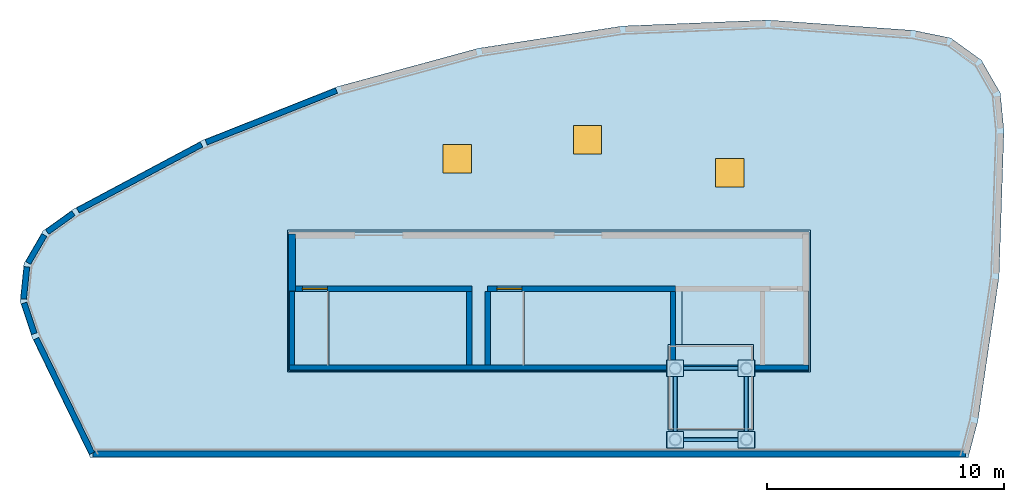
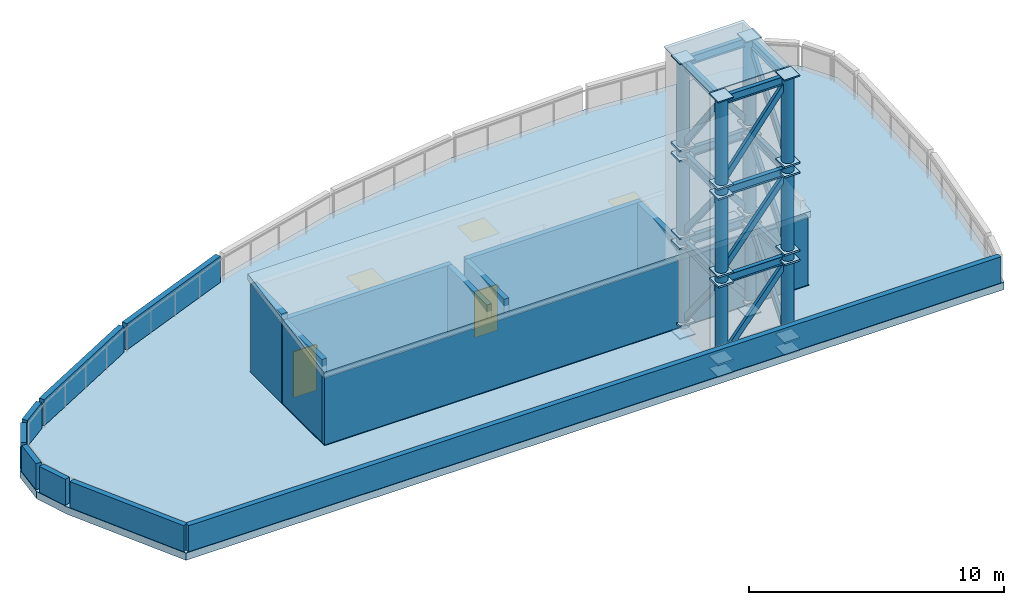
# One storey, part 1 of 3: 29 plates, 16 walls, 12 beams, 12 members, 4 columns, 3 slabs, 3 windows, 2 doors, 5 openings.
"""IFC4 building model written with IfcOpenShell, lengths in metres."""

from ifc_helpers import new_model, si_unit, direction, frame, frame_2d, origin, origin_2d, place, context, subcontext, project, spatial, polyline, rectangle, hollow_rectangle, hollow_circle, i_section, outline, extrude, source, transform, mapped, material, layer, layer_set, material_profile, profile_set, type_object, type_shapes, element, fill, save


model = new_model("IFC4")

# Units and contexts
model_context = context("Model", 3, precision=1e-05, world=origin(), true_north=direction((0.0, 1.0)))
body_context = subcontext(model_context, "Body", "Model", "MODEL_VIEW")
ifc_project = project(units=[si_unit("LENGTHUNIT", "METRE"), si_unit("AREAUNIT", "SQUARE_METRE"), si_unit("VOLUMEUNIT", "CUBIC_METRE"), si_unit("PLANEANGLEUNIT", "RADIAN"), si_unit("MASSUNIT", "GRAM", prefix="KILO")], contexts=[model_context])

# Site, building, storey
site_placement = place(None, origin())
site = spatial("IfcSite", under=ifc_project, at=site_placement, CompositionType="ELEMENT")
building_placement = place(site_placement, origin())
building = spatial("IfcBuilding", under=site, at=building_placement, Name="Tavelor Broadcast Tower", CompositionType="ELEMENT")
storey_placement = place(building_placement, frame((0.0, 0.0, 359.699951171875)))
storey = spatial("IfcBuildingStorey", under=building, at=storey_placement, Name="RF", CompositionType="ELEMENT", Elevation=359.699951171875)

# Columns
ifc_material_1 = material(Name="Steel S355", Category="steel")
ifc_material_profile_1 = material_profile(ifc_material_1, hollow_circle(Radius=0.25390625, WallThickness=0.02490234375, at=origin_2d()), Name="CHS 508x25")
ifc_profile_set_1 = profile_set([ifc_material_profile_1], Name="Steel S355")
column_type = type_object("IfcColumnType", Name="Broadcast Spire Mast Leg CHS508", PredefinedType="COLUMN", material=ifc_profile_set_1)
for number, where, z_axis, x_axis, name in (
    (1, (51.199951171875, 44.949951171875, -0.349853515625), (0.0, 0.0, 1.0), (1.0, 0.0, 0.0), "Broadcast Spire Mast Leg 1"),
    (2, (54.199951171875, 44.949951171875, -0.349853515625), (0.0, 0.0, 1.0), (1.0, 0.0, 0.0), "Broadcast Spire Mast Leg 2"),
    (3, (54.199951171875, 47.949951171875, -0.349853515625), (0.0, 0.0, 1.0), (1.0, 0.0, 0.0), "Broadcast Spire Mast Leg 3"),
    (4, (51.199951171875, 47.949951171875, -0.349853515625), (0.0, 0.0, 1.0), (1.0, 0.0, 0.0), "Broadcast Spire Mast Leg 4"),
):
    element("IfcColumn", number, at=place(storey_placement, frame(where, z_axis=z_axis, x_axis=x_axis)), inside=storey, type_object=column_type, Name=name, PredefinedType="COLUMN", context=body_context, shape_type="SweptSolid", body=[
        extrude(hollow_circle(Radius=0.25390625, WallThickness=0.02490234375, at=origin_2d()), origin(), (0.0, 0.0, 1.0), 13.14990234375),
    ])

# Members
ifc_material_profile_2 = material_profile(ifc_material_1, hollow_rectangle(XDim=0.14990234375, YDim=0.25, WallThickness=0.010009765625, at=origin_2d()), Name="RHS 250x150x10")
ifc_profile_set_2 = profile_set([ifc_material_profile_2], Name="Steel S355")
member_type = type_object("IfcMemberType", Name="Broadcast Spire Mast Strut RHS250x150", PredefinedType="STRUT", material=ifc_profile_set_2)
for number, where, z_axis, x_axis, name in (
    (5, (51.199951171875, 44.949951171875, 0.25), (0.629806973106, 0.0, 0.776751682732), (0.0, 1.0, 0.0), "Broadcast Spire Mast Lattice Strut 1.1"),
    (6, (54.199951171875, 44.949951171875, 0.25), (0.0, 0.629806973106, 0.776751682732), (-1.0, 0.0, 0.0), "Broadcast Spire Mast Lattice Strut 1.2"),
    (7, (54.199951171875, 47.949951171875, 0.25), (-0.629806973106, 0.0, 0.776751682732), (0.0, -1.0, 0.0), "Broadcast Spire Mast Lattice Strut 1.3"),
    (8, (51.199951171875, 47.949951171875, 0.25), (0.0, -0.629806973106, 0.776751682732), (1.0, 0.0, 0.0), "Broadcast Spire Mast Lattice Strut 1.4"),
):
    element("IfcMember", number, at=place(storey_placement, frame(where, z_axis=z_axis, x_axis=x_axis)), inside=storey, type_object=member_type, Name=name, PredefinedType="STRUT", context=body_context, shape_type="SweptSolid", body=[
        extrude(hollow_rectangle(XDim=0.14990234375, YDim=0.25, WallThickness=0.010009765625, at=origin_2d()), origin(), (0.0, 0.0, 1.0), 4.763427734375),
    ])
for number, where, z_axis, x_axis, name in (
    (9, (51.199951171875, 44.949951171875, 4.449951171875), (0.62978190022, 0.0, 0.776772011697), (0.0, 1.0, 0.0), "Broadcast Spire Mast Lattice Strut 2.1"),
    (10, (54.199951171875, 44.949951171875, 4.449951171875), (0.0, 0.62978190022, 0.776772011697), (-1.0, 0.0, 0.0), "Broadcast Spire Mast Lattice Strut 2.2"),
    (11, (54.199951171875, 47.949951171875, 4.449951171875), (-0.62978190022, 0.0, 0.776772011697), (0.0, -1.0, 0.0), "Broadcast Spire Mast Lattice Strut 2.3"),
    (12, (51.199951171875, 47.949951171875, 4.449951171875), (0.0, -0.62978190022, 0.776772011697), (1.0, 0.0, 0.0), "Broadcast Spire Mast Lattice Strut 2.4"),
):
    element("IfcMember", number, at=place(storey_placement, frame(where, z_axis=z_axis, x_axis=x_axis)), inside=storey, type_object=member_type, Name=name, PredefinedType="STRUT", context=body_context, shape_type="SweptSolid", body=[
        extrude(hollow_rectangle(XDim=0.14990234375, YDim=0.25, WallThickness=0.010009765625, at=origin_2d()), origin(), (0.0, 0.0, 1.0), 4.763671875),
    ])
for number, where, z_axis, x_axis, name in (
    (13, (51.199951171875, 44.949951171875, 8.650146484375), (0.609720352615, 0.0, 0.792616610731), (0.0, 1.0, 0.0), "Broadcast Spire Mast Lattice Strut 3.1"),
    (14, (54.199951171875, 44.949951171875, 8.650146484375), (0.0, 0.609720352615, 0.792616610731), (-1.0, 0.0, 0.0), "Broadcast Spire Mast Lattice Strut 3.2"),
    (15, (54.199951171875, 47.949951171875, 8.650146484375), (-0.609720352615, 0.0, 0.792616610731), (0.0, -1.0, 0.0), "Broadcast Spire Mast Lattice Strut 3.3"),
    (16, (51.199951171875, 47.949951171875, 8.650146484375), (0.0, -0.609720352615, 0.792616610731), (1.0, 0.0, 0.0), "Broadcast Spire Mast Lattice Strut 3.4"),
):
    element("IfcMember", number, at=place(storey_placement, frame(where, z_axis=z_axis, x_axis=x_axis)), inside=storey, type_object=member_type, Name=name, PredefinedType="STRUT", context=body_context, shape_type="SweptSolid", body=[
        extrude(hollow_rectangle(XDim=0.14990234375, YDim=0.25, WallThickness=0.010009765625, at=origin_2d()), origin(), (0.0, 0.0, 1.0), 4.92041015625),
    ])

# Beams
ifc_material_profile_3 = material_profile(ifc_material_1, i_section(OverallWidth=0.179931640625, OverallDepth=0.39990234375, WebThickness=0.008544921875, FlangeThickness=0.013427734375, at=origin_2d()), Name="IPE 400")
ifc_profile_set_3 = profile_set([ifc_material_profile_3], Name="Steel S355")
beam_type = type_object("IfcBeamType", Name="Crown Ring Spandrel Beam IPE400", PredefinedType="SPANDREL", material=ifc_profile_set_3)
for number, where, z_axis, x_axis, name in (
    (17, (51.449951171875, 44.949951171875, 4.0), (1.0, 0.0, 0.0), (0.0, 1.0, 0.0), "Broadcast Spire Mast Collar Ring 1.1"),
    (18, (54.199951171875, 45.199951171875, 4.0), (0.0, 1.0, 0.0), (-1.0, 0.0, 0.0), "Broadcast Spire Mast Collar Ring 1.2"),
    (19, (53.949951171875, 47.949951171875, 4.0), (-1.0, 0.0, 0.0), (0.0, -1.0, 0.0), "Broadcast Spire Mast Collar Ring 1.3"),
    (20, (51.199951171875, 47.699951171875, 4.0), (0.0, -1.0, 0.0), (1.0, 0.0, 0.0), "Broadcast Spire Mast Collar Ring 1.4"),
    (21, (51.449951171875, 44.949951171875, 8.199951171875), (1.0, 0.0, 0.0), (0.0, 1.0, 0.0), "Broadcast Spire Mast Collar Ring 2.1"),
    (22, (54.199951171875, 45.199951171875, 8.199951171875), (0.0, 1.0, 0.0), (-1.0, 0.0, 0.0), "Broadcast Spire Mast Collar Ring 2.2"),
    (23, (53.949951171875, 47.949951171875, 8.199951171875), (-1.0, 0.0, 0.0), (0.0, -1.0, 0.0), "Broadcast Spire Mast Collar Ring 2.3"),
    (24, (51.199951171875, 47.699951171875, 8.199951171875), (0.0, -1.0, 0.0), (1.0, 0.0, 0.0), "Broadcast Spire Mast Collar Ring 2.4"),
    (25, (51.449951171875, 44.949951171875, 12.60009765625), (1.0, 0.0, 0.0), (0.0, 1.0, 0.0), "Broadcast Spire Mast Collar Ring 3.1"),
    (26, (54.199951171875, 45.199951171875, 12.60009765625), (0.0, 1.0, 0.0), (-1.0, 0.0, 0.0), "Broadcast Spire Mast Collar Ring 3.2"),
    (27, (53.949951171875, 47.949951171875, 12.60009765625), (-1.0, 0.0, 0.0), (0.0, -1.0, 0.0), "Broadcast Spire Mast Collar Ring 3.3"),
    (28, (51.199951171875, 47.699951171875, 12.60009765625), (0.0, -1.0, 0.0), (1.0, 0.0, 0.0), "Broadcast Spire Mast Collar Ring 3.4"),
):
    element("IfcBeam", number, at=place(storey_placement, frame(where, z_axis=z_axis, x_axis=x_axis)), inside=storey, type_object=beam_type, Name=name, PredefinedType="SPANDREL", context=body_context, shape_type="SweptSolid", body=[
        extrude(i_section(OverallWidth=0.179931640625, OverallDepth=0.39990234375, WebThickness=0.008544921875, FlangeThickness=0.013427734375, at=origin_2d()), origin(), (0.0, 0.0, 1.0), 2.5),
    ])

# Slab, openings, windows
ifc_material_2 = material(Name="Concrete C40/50", Category="concrete")
ifc_layer_1 = layer(ifc_material_2, 0.35009765625)
ifc_layer_set_1 = layer_set([ifc_layer_1], Name="Concrete C40/50")
slab_type_1 = type_object("IfcSlabType", Name="Crown Structural Roof Slab 350 mm", PredefinedType="ROOF", material=ifc_layer_set_1)
slab_1_placement = place(storey_placement, frame((0.0, 0.0, -0.349853515625)))
slab_1 = element("IfcSlab", 29, at=slab_1_placement, inside=storey, type_object=slab_type_1, Name="Roof Peak A Structural Roof Slab", PredefinedType="ROOF", context=body_context, shape_type="SweptSolid", body=[
    extrude(outline(polyline([(24.074462890625, 49.255126953125), (26.531494140625, 44.199951171875), (63.558349609375, 44.199951171875), (63.966064453125, 45.74462890625), (64.858642578125, 51.825439453125), (65.064697265625, 57.968017578125), (64.909912109375, 59.560791015625), (64.11328125, 60.948974609375), (62.81591796875, 61.886474609375), (61.247802734375, 62.206787109375), (55.117431640625, 62.64404296875), (48.9765625, 62.391845703125), (42.902587890625, 61.453369140625), (36.97216796875, 59.84033203125), (31.259765625, 57.572998046875), (25.837158203125, 54.679931640625), (24.534912109375, 53.74951171875), (23.731201171875, 52.365478515625), (23.568115234375, 50.7734375), (24.074462890625, 49.255126953125)]), holes=[polyline([(56.85498046875, 47.844970703125), (34.89501953125, 47.844970703125), (34.89501953125, 53.705078125), (56.85498046875, 53.705078125), (56.85498046875, 47.844970703125)])]), origin(), (0.0, 0.0, 1.0), 0.349853515625),
])
opening_1_placement = place(slab_1_placement, frame((42.0, 56.800048828125, 0.0)))
opening_1 = element("IfcOpeningElement", 30, at=opening_1_placement, cuts=slab_1, Name="Opening HT01", PredefinedType="OPENING", context=body_context, shape_type="SweptSolid", body=[
    extrude(rectangle(XDim=1.199951171875, YDim=1.199951171875, at=origin_2d()), frame((0.0, 0.0, -0.010009765625)), (0.0, 0.0, 1.0), 0.369873046875),
])
opening_2_placement = place(slab_1_placement, frame((47.5, 57.60009765625, 0.0)))
opening_2 = element("IfcOpeningElement", 31, at=opening_2_placement, cuts=slab_1, Name="Opening HT01", PredefinedType="OPENING", context=body_context, shape_type="SweptSolid", body=[
    extrude(rectangle(XDim=1.199951171875, YDim=1.199951171875, at=origin_2d()), frame((0.0, 0.0, -0.010009765625)), (0.0, 0.0, 1.0), 0.369873046875),
])
opening_3_placement = place(slab_1_placement, frame((53.5, 56.199951171875, 0.0)))
opening_3 = element("IfcOpeningElement", 32, at=opening_3_placement, cuts=slab_1, Name="Opening HT01", PredefinedType="OPENING", context=body_context, shape_type="SweptSolid", body=[
    extrude(rectangle(XDim=1.199951171875, YDim=1.199951171875, at=origin_2d()), frame((0.0, 0.0, -0.010009765625)), (0.0, 0.0, 1.0), 0.369873046875),
])
ifc_material_3 = material(Name="Copper-Bronze Anodized Aluminium", Category="aluminium")
window_type = type_object("IfcWindowType", Name="Insulated Roof Smoke and Maintenance Access Hatch 1200x1200", PartitioningType="SINGLE_PANEL", PredefinedType="LIGHTDOME", material=ifc_material_3)
window_1_placement = place(opening_1_placement, frame((0.0, 0.0, 0.2998046875)))
window_1 = element("IfcWindow", 33, at=window_1_placement, inside=storey, type_object=window_type, Name="RF Roof Smoke and Maintenance Hatch 01", OverallHeight=1.199951171875, OverallWidth=1.199951171875, PartitioningType="SINGLE_PANEL", PredefinedType="LIGHTDOME", context=body_context, shape_type="SweptSolid", body=[
    extrude(rectangle(XDim=1.199951171875, YDim=1.199951171875, at=origin_2d()), origin(), (0.0, 0.0, 1.0), 0.050048828125),
])
fill(opening_1, window_1)
window_2_placement = place(opening_2_placement, frame((0.0, 0.0, 0.2998046875)))
window_2 = element("IfcWindow", 34, at=window_2_placement, inside=storey, type_object=window_type, Name="RF Roof Smoke and Maintenance Hatch 02", OverallHeight=1.199951171875, OverallWidth=1.199951171875, PartitioningType="SINGLE_PANEL", PredefinedType="LIGHTDOME", context=body_context, shape_type="SweptSolid", body=[
    extrude(rectangle(XDim=1.199951171875, YDim=1.199951171875, at=origin_2d()), origin(), (0.0, 0.0, 1.0), 0.050048828125),
])
fill(opening_2, window_2)
window_3_placement = place(opening_3_placement, frame((0.0, 0.0, 0.2998046875)))
window_3 = element("IfcWindow", 35, at=window_3_placement, inside=storey, type_object=window_type, Name="RF Roof Smoke and Maintenance Hatch 03", OverallHeight=1.199951171875, OverallWidth=1.199951171875, PartitioningType="SINGLE_PANEL", PredefinedType="LIGHTDOME", context=body_context, shape_type="SweptSolid", body=[
    extrude(rectangle(XDim=1.199951171875, YDim=1.199951171875, at=origin_2d()), origin(), (0.0, 0.0, 1.0), 0.050048828125),
])
fill(opening_3, window_3)

# Slabs
slab_2_placement = place(storey_placement, frame((34.85009765625, 47.800048828125, 3.550048828125), z_axis=(0.0, 0.0, 1.0), x_axis=(0.0, 1.0, 0.0)))
element("IfcSlab", 36, at=slab_2_placement, inside=storey, type_object=slab_type_1, Name="RF Stair Head-House Weatherproof Roof Slab", PredefinedType="ROOF", context=body_context, shape_type="SweptSolid", body=[
    extrude(outline(polyline([(0.0, -0.300048828125), (5.97998046875, 0.800048828125), (5.97998046875, 1.10009765625), (0.0, 0.0), (0.0, -0.300048828125)])), frame((0.0, 0.0, 0.0), z_axis=(0.0, -1.0, 0.0), x_axis=(1.0, 0.0, 0.0)), (0.0, 0.0, 1.0), 22.0498046875),
])
ifc_layer_2 = layer(ifc_material_2, 0.35009765625)
ifc_layer_set_2 = layer_set([ifc_layer_2], Name="Concrete C40/50")
slab_type_2 = type_object("IfcSlabType", Name="Podium Structural Floor Slab 350 mm", PredefinedType="FLOOR", material=ifc_layer_set_2)
slab_3_placement = place(storey_placement, frame((0.0, 0.0, -0.349853515625)))
element("IfcSlab", 37, at=slab_3_placement, inside=storey, type_object=slab_type_2, Name="RF Stair and Service Lift Head-House Floor Slab", PredefinedType="FLOOR", context=body_context, shape_type="SweptSolid", body=[
    extrude(outline(polyline([(56.85009765625, 47.85009765625), (56.85009765625, 53.699951171875), (34.89990234375, 53.699951171875), (34.89990234375, 47.85009765625), (56.85009765625, 47.85009765625)]), holes=[polyline([(44.85400390625, 48.10400390625), (44.85400390625, 51.196044921875), (50.99609375, 51.196044921875), (50.99609375, 48.10400390625), (44.85400390625, 48.10400390625)]), polyline([(36.60400390625, 48.10400390625), (36.60400390625, 51.196044921875), (42.39599609375, 51.196044921875), (42.39599609375, 48.10400390625), (36.60400390625, 48.10400390625)]), polyline([(51.47998046875, 48.080078125), (51.47998046875, 51.219970703125), (56.639892578125, 51.219970703125), (56.639892578125, 48.080078125), (51.47998046875, 48.080078125)])]), origin(), (0.0, 0.0, 1.0), 0.349853515625),
])

# Plates
ifc_material_4 = material(Name="Steel S460", Category="steel")
ifc_layer_3 = layer(ifc_material_4, 0.050048828125)
ifc_layer_set_3 = layer_set([ifc_layer_3], Name="Steel S460")
plate_type_1 = type_object("IfcPlateType", Name="Tube Hollow-End Cap Plate KN05 700x700x50", PredefinedType="USERDEFINED", material=ifc_layer_set_3)
shared_shape_1 = source(origin(), body_context, "Body", "SweptSolid", [
    extrude(rectangle(XDim=0.699951171875, YDim=0.699951171875, at=origin_2d()), origin(), (0.0, 0.0, 1.0), 0.054931640625),
])
for number, where, z_axis, x_axis, name in (
    (38, (51.199951171875, 44.949951171875, -0.37744140625), (0.0, 0.0, 1.0), (1.0, 0.0, 0.0), "RF Hollow End Cap Plate KN05 #2563"),
    (39, (51.199951171875, 44.949951171875, 12.7724609375), (0.0, 0.0, 1.0), (1.0, 0.0, 0.0), "RF Hollow End Cap Plate KN05 #2564"),
    (40, (54.199951171875, 44.949951171875, -0.37744140625), (0.0, 0.0, 1.0), (1.0, 0.0, 0.0), "RF Hollow End Cap Plate KN05 #2565"),
    (41, (54.199951171875, 44.949951171875, 12.7724609375), (0.0, 0.0, 1.0), (1.0, 0.0, 0.0), "RF Hollow End Cap Plate KN05 #2566"),
    (42, (54.199951171875, 47.949951171875, -0.37744140625), (0.0, 0.0, 1.0), (1.0, 0.0, 0.0), "RF Hollow End Cap Plate KN05 #2567"),
    (43, (54.199951171875, 47.949951171875, 12.7724609375), (0.0, 0.0, 1.0), (1.0, 0.0, 0.0), "RF Hollow End Cap Plate KN05 #2568"),
    (44, (51.199951171875, 47.949951171875, -0.37744140625), (0.0, 0.0, 1.0), (1.0, 0.0, 0.0), "RF Hollow End Cap Plate KN05 #2569"),
    (45, (51.199951171875, 47.949951171875, 12.7724609375), (0.0, 0.0, 1.0), (1.0, 0.0, 0.0), "RF Hollow End Cap Plate KN05 #2570"),
):
    element("IfcPlate", number, at=place(storey_placement, frame(where, z_axis=z_axis, x_axis=x_axis)), inside=storey, type_object=plate_type_1, Name=name, ObjectType="CAP PLATE", PredefinedType="USERDEFINED", context=body_context, shape_type="MappedRepresentation", body=[
        mapped(shared_shape_1, transform((0.0, 0.0, 0.0), scale=1.0)),
    ])
shared_shape_2 = source(origin(), body_context, "Body", "SweptSolid", [
    extrude(rectangle(XDim=0.699951171875, YDim=0.699951171875, at=origin_2d()), origin(), (0.0, 0.0, 1.0), 0.074951171875),
])
type_shapes(plate_type_1, [shared_shape_1, shared_shape_2])
for number, where, z_axis, x_axis, name in (
    (46, (51.190673828125, 44.949951171875, 0.20068359375), (0.0, 0.0, 1.0), (1.0, 0.0, 0.0), "RF Hollow End Cap Plate KN05 #2571"),
    (47, (54.20947265625, 44.949951171875, 3.92431640625), (0.0, 0.0, 1.0), (1.0, 0.0, 0.0), "RF Hollow End Cap Plate KN05 #2572"),
    (48, (54.199951171875, 44.940673828125, 0.20068359375), (0.0, 0.0, 1.0), (1.0, 0.0, 0.0), "RF Hollow End Cap Plate KN05 #2573"),
    (49, (54.199951171875, 47.95947265625, 3.92431640625), (0.0, 0.0, 1.0), (1.0, 0.0, 0.0), "RF Hollow End Cap Plate KN05 #2574"),
    (50, (54.20947265625, 47.949951171875, 0.20068359375), (0.0, 0.0, 1.0), (1.0, 0.0, 0.0), "RF Hollow End Cap Plate KN05 #2575"),
    (51, (51.190673828125, 47.949951171875, 3.92431640625), (0.0, 0.0, 1.0), (1.0, 0.0, 0.0), "RF Hollow End Cap Plate KN05 #2576"),
    (52, (51.199951171875, 47.95947265625, 0.20068359375), (0.0, 0.0, 1.0), (1.0, 0.0, 0.0), "RF Hollow End Cap Plate KN05 #2577"),
    (53, (51.199951171875, 44.940673828125, 3.92431640625), (0.0, 0.0, 1.0), (1.0, 0.0, 0.0), "RF Hollow End Cap Plate KN05 #2578"),
    (54, (51.190673828125, 44.949951171875, 4.40087890625), (0.0, 0.0, 1.0), (1.0, 0.0, 0.0), "RF Hollow End Cap Plate KN05 #2579"),
    (55, (54.20947265625, 44.949951171875, 8.12451171875), (0.0, 0.0, 1.0), (1.0, 0.0, 0.0), "RF Hollow End Cap Plate KN05 #2580"),
    (56, (54.199951171875, 44.940673828125, 4.40087890625), (0.0, 0.0, 1.0), (1.0, 0.0, 0.0), "RF Hollow End Cap Plate KN05 #2581"),
    (57, (54.199951171875, 47.95947265625, 8.12451171875), (0.0, 0.0, 1.0), (1.0, 0.0, 0.0), "RF Hollow End Cap Plate KN05 #2582"),
    (58, (54.20947265625, 47.949951171875, 4.40087890625), (0.0, 0.0, 1.0), (1.0, 0.0, 0.0), "RF Hollow End Cap Plate KN05 #2583"),
    (59, (51.190673828125, 47.949951171875, 8.12451171875), (0.0, 0.0, 1.0), (1.0, 0.0, 0.0), "RF Hollow End Cap Plate KN05 #2584"),
    (60, (51.199951171875, 47.95947265625, 4.40087890625), (0.0, 0.0, 1.0), (1.0, 0.0, 0.0), "RF Hollow End Cap Plate KN05 #2585"),
    (61, (51.199951171875, 44.940673828125, 8.12451171875), (0.0, 0.0, 1.0), (1.0, 0.0, 0.0), "RF Hollow End Cap Plate KN05 #2586"),
    (62, (51.19091796875, 44.949951171875, 8.6005859375), (0.0, 0.0, 1.0), (1.0, 0.0, 0.0), "RF Hollow End Cap Plate KN05 #2587"),
    (63, (54.199951171875, 44.94091796875, 8.6005859375), (0.0, 0.0, 1.0), (1.0, 0.0, 0.0), "RF Hollow End Cap Plate KN05 #2588"),
    (64, (54.208984375, 47.949951171875, 8.6005859375), (0.0, 0.0, 1.0), (1.0, 0.0, 0.0), "RF Hollow End Cap Plate KN05 #2589"),
    (65, (51.199951171875, 47.958984375, 8.6005859375), (0.0, 0.0, 1.0), (1.0, 0.0, 0.0), "RF Hollow End Cap Plate KN05 #2590"),
):
    element("IfcPlate", number, at=place(storey_placement, frame(where, z_axis=z_axis, x_axis=x_axis)), inside=storey, type_object=plate_type_1, Name=name, ObjectType="CAP PLATE", PredefinedType="USERDEFINED", context=body_context, shape_type="MappedRepresentation", body=[
        mapped(shared_shape_2, transform((0.0, 0.0, 0.0), scale=1.0)),
    ])
ifc_layer_4 = layer(ifc_material_1, 0.0400390625)
ifc_layer_set_4 = layer_set([ifc_layer_4], Name="Steel S355")
plate_type_2 = type_object("IfcPlateType", Name="Crown Mast Base Plate KN08 620x440x40", PredefinedType="USERDEFINED", material=ifc_layer_set_4)
shared_shape_3 = source(origin(), body_context, "Body", "SweptSolid", [
    extrude(rectangle(XDim=3.60009765625, YDim=3.60009765625, at=origin_2d()), origin(), (0.0, 0.0, 1.0), 0.0400390625),
])
type_shapes(plate_type_2, [shared_shape_3])
plate_placement = place(storey_placement, frame((52.699951171875, 47.14990234375, 12.800048828125), z_axis=(0.0, 0.0, 1.0), x_axis=(1.0, 0.0, 0.0)))
element("IfcPlate", 66, at=plate_placement, inside=storey, type_object=plate_type_2, Name="RF Crown Mast Top Cap Deck KN08", ObjectType="CAP PLATE", PredefinedType="USERDEFINED", context=body_context, shape_type="MappedRepresentation", body=[
    mapped(shared_shape_3, transform((0.0, 0.0, 0.0), scale=1.0)),
])

# Walls
ifc_material_5 = material(Name="Precast Concrete C40/50", Category="concrete")
ifc_layer_5 = layer(ifc_material_5, 0.280029296875)
ifc_layer_set_5 = layer_set([ifc_layer_5], Name="Precast Concrete C40/50")
wall_type_1 = type_object("IfcWallType", Name="Insulated Precast Terracotta Facade Wall 280 mm", PredefinedType="STANDARD", material=ifc_layer_set_5)
wall_1_placement = place(storey_placement, frame((35.0400390625, 51.219970703125, 0.0), z_axis=(0.0, 0.0, 1.0), x_axis=(0.0, 1.0, 0.0)))
element("IfcWall", 67, at=wall_1_placement, inside=storey, type_object=wall_type_1, Name="RF Stair Head-House West Facade Wall", PredefinedType="STANDARD", context=body_context, shape_type="SweptSolid", body=[
    extrude(rectangle(XDim=2.400146484375, YDim=0.280029296875, at=frame_2d((1.2001953125, 0.0))), origin(), (0.0, 0.0, 1.0), 4.25),
])
ifc_layer_6 = layer(ifc_material_5, 0.239990234375)
ifc_layer_set_6 = layer_set([ifc_layer_6], Name="Precast Concrete C40/50")
wall_type_2 = type_object("IfcWallType", Name="Roof and Terrace Perimeter Parapet Wall 240 mm", PredefinedType="PARAPET", material=ifc_layer_set_6)
wall_2_placement = place(storey_placement, frame((26.6513671875, 44.340087890625, 0.0), z_axis=(0.0, 0.0, 1.0), x_axis=(1.0, 0.0, 0.0)))
element("IfcWall", 68, at=wall_2_placement, inside=storey, type_object=wall_type_2, Name="RF Peak A Roof Perimeter Parapet 01", PredefinedType="PARAPET", context=body_context, shape_type="SweptSolid", body=[
    extrude(rectangle(XDim=36.786865234375, YDim=0.239990234375, at=frame_2d((18.3935546875, 0.0))), origin(), (0.0, 0.0, 1.0), 1.25),
])
for number, where, z_axis, x_axis, name in (
    (69, (36.912353515625, 59.666015625, 0.0), (0.0, 0.0, 1.0), (-0.929456964826, -0.368930549747, 0.0), "RF Peak A Roof Perimeter Parapet 13"),
    (70, (31.2197265625, 57.39306640625, 0.0), (0.0, 0.0, 1.0), (-0.882292287497, -0.470701943297, 0.0), "RF Peak A Roof Perimeter Parapet 14"),
):
    element("IfcWall", number, at=place(storey_placement, frame(where, z_axis=z_axis, x_axis=x_axis)), inside=storey, type_object=wall_type_2, Name=name, PredefinedType="PARAPET", context=body_context, shape_type="SweptSolid", body=[
        extrude(rectangle(XDim=5.90625, YDim=0.239990234375, at=frame_2d((2.953125, 0.0))), origin(), (0.0, 0.0, 1.0), 1.25),
    ])
wall_3_placement = place(storey_placement, frame((25.82080078125, 54.496337890625, 0.0), z_axis=(0.0, 0.0, 1.0), x_axis=(-0.813551532954, -0.581492823024, 0.0)))
element("IfcWall", 71, at=wall_3_placement, inside=storey, type_object=wall_type_2, Name="RF Peak A Roof Perimeter Parapet 15", PredefinedType="PARAPET", context=body_context, shape_type="SweptSolid", body=[
    extrude(rectangle(XDim=1.3603515625, YDim=0.239990234375, at=frame_2d((0.68017578125, 0.0))), origin(), (0.0, 0.0, 1.0), 1.25),
])
for number, where, z_axis, x_axis, name in (
    (72, (24.595703125, 53.575439453125, 0.0), (0.0, 0.0, 1.0), (-0.502252393135, -0.864721072711, 0.0), "RF Peak A Roof Perimeter Parapet 16"),
    (73, (23.858154296875, 52.23193359375, 0.0), (0.0, 0.0, 1.0), (-0.101919592271, -0.994792640057, 0.0), "RF Peak A Roof Perimeter Parapet 17"),
):
    element("IfcWall", number, at=place(storey_placement, frame(where, z_axis=z_axis, x_axis=x_axis)), inside=storey, type_object=wall_type_2, Name=name, PredefinedType="PARAPET", context=body_context, shape_type="SweptSolid", body=[
        extrude(rectangle(XDim=1.360595703125, YDim=0.239990234375, at=frame_2d((0.68017578125, 0.0))), origin(), (0.0, 0.0, 1.0), 1.25),
    ])
wall_4_placement = place(storey_placement, frame((23.73876953125, 50.703857421875, 0.0), z_axis=(0.0, 0.0, 1.0), x_axis=(0.316389276095, -0.948629446081, 0.0)))
element("IfcWall", 74, at=wall_4_placement, inside=storey, type_object=wall_type_2, Name="RF Peak A Roof Perimeter Parapet 18", PredefinedType="PARAPET", context=body_context, shape_type="SweptSolid", body=[
    extrude(rectangle(XDim=1.3603515625, YDim=0.239990234375, at=frame_2d((0.68017578125, 0.0))), origin(), (0.0, 0.0, 1.0), 1.25),
])
wall_5_placement = place(storey_placement, frame((24.2529296875, 49.20849609375, 0.0), z_axis=(0.0, 0.0, 1.0), x_axis=(0.437093813165, -0.899415920747, 0.0)))
element("IfcWall", 75, at=wall_5_placement, inside=storey, type_object=wall_type_2, Name="RF Peak A Roof Perimeter Parapet 19", PredefinedType="PARAPET", context=body_context, shape_type="SweptSolid", body=[
    extrude(rectangle(XDim=5.380615234375, YDim=0.239990234375, at=frame_2d((2.6904296875, 0.0))), origin(), (0.0, 0.0, 1.0), 1.25),
])
ifc_layer_7 = layer(ifc_material_2, 0.219970703125)
ifc_layer_set_7 = layer_set([ifc_layer_7], Name="Concrete C40/50")
wall_type_3 = type_object("IfcWallType", Name="Structural Stairwell Shear Wall 220 mm", PredefinedType="SHEAR", material=ifc_layer_set_7)
wall_6_placement = place(storey_placement, frame((34.929931640625, 47.989990234375, 0.0), z_axis=(0.0, 0.0, 1.0), x_axis=(1.0, 0.0, 0.0)))
element("IfcWall", 76, at=wall_6_placement, inside=storey, type_object=wall_type_3, Name="RF Head-House South Structural Wall", PredefinedType="SHEAR", context=body_context, shape_type="SweptSolid", body=[
    extrude(rectangle(XDim=21.89013671875, YDim=0.219970703125, at=frame_2d((10.945068359375, 0.0))), origin(), (0.0, 0.0, 1.0), 3.25),
])
for number, where, z_axis, x_axis, name in (
    (77, (35.0400390625, 48.10009765625, 0.0), (0.0, 0.0, 1.0), (0.0, 1.0, 0.0), "RF Stair ST5 Head-House West Wall"),
    (78, (42.510009765625, 48.10009765625, 0.0), (0.0, 0.0, 1.0), (0.0, 1.0, 0.0), "RF Stair ST5 Head-House East Wall"),
):
    element("IfcWall", number, at=place(storey_placement, frame(where, z_axis=z_axis, x_axis=x_axis)), inside=storey, type_object=wall_type_3, Name=name, PredefinedType="SHEAR", context=body_context, shape_type="SweptSolid", body=[
        extrude(rectangle(XDim=3.099853515625, YDim=0.219970703125, at=frame_2d((1.5498046875, 0.0))), origin(), (0.0, 0.0, 1.0), 3.949951171875),
    ])

# Wall, opening, door
wall_7_placement = place(storey_placement, frame((34.929931640625, 51.31005859375, 0.0), z_axis=(0.0, 0.0, 1.0), x_axis=(1.0, 0.0, 0.0)))
wall_7 = element("IfcWall", 79, at=wall_7_placement, inside=storey, type_object=wall_type_3, Name="RF Stair ST5 Head-House North Wall", PredefinedType="SHEAR", context=body_context, shape_type="SweptSolid", body=[
    extrude(rectangle(XDim=7.690185546875, YDim=0.219970703125, at=frame_2d((3.84521484375, 0.0))), origin(), (0.0, 0.0, 1.0), 3.949951171875),
])
opening_4_placement = place(wall_7_placement, frame((0.550048828125, 0.0, 0.0)))
opening_4 = element("IfcOpeningElement", 80, at=opening_4_placement, cuts=wall_7, Name="Opening DR11", PredefinedType="OPENING", context=body_context, shape_type="SweptSolid", body=[
    extrude(rectangle(XDim=1.050048828125, YDim=2.199951171875, at=frame_2d((0.52490234375, 1.10009765625))), frame((0.0, 0.1201171875, 0.0), z_axis=(0.0, -1.0, 0.0), x_axis=(1.0, 0.0, 0.0)), (0.0, 0.0, 1.0), 0.239990234375),
])
door_type = type_object("IfcDoorType", Name="Stair Core Fire Escape Door 1050x2200", OperationType="NOTDEFINED", PredefinedType="DOOR", material=ifc_material_1)
door_1_placement = place(opening_4_placement, origin())
door_1 = element("IfcDoor", 81, at=door_1_placement, inside=storey, type_object=door_type, Name="RF Stair ST5 Head-House Vestibule Door", OperationType="SINGLE_SWING_RIGHT", OverallHeight=2.199951171875, OverallWidth=1.050048828125, PredefinedType="DOOR", context=body_context, shape_type="SweptSolid", body=[
    extrude(rectangle(XDim=1.050048828125, YDim=2.199951171875, at=frame_2d((0.52490234375, 1.10009765625))), frame((0.0, 0.02490234375, 0.0), z_axis=(0.0, -1.0, 0.0), x_axis=(1.0, 0.0, 0.0)), (0.0, 0.0, 1.0), 0.050048828125),
])
fill(opening_4, door_1)

# Walls
for number, where, z_axis, x_axis, name in (
    (82, (43.2900390625, 48.10009765625, 0.0), (0.0, 0.0, 1.0), (0.0, 1.0, 0.0), "RF Stair ST1 Head-House West Wall"),
    (83, (51.110107421875, 48.10009765625, 0.0), (0.0, 0.0, 1.0), (0.0, 1.0, 0.0), "RF Stair ST1 Head-House East Wall"),
):
    element("IfcWall", number, at=place(storey_placement, frame(where, z_axis=z_axis, x_axis=x_axis)), inside=storey, type_object=wall_type_3, Name=name, PredefinedType="SHEAR", context=body_context, shape_type="SweptSolid", body=[
        extrude(rectangle(XDim=3.099853515625, YDim=0.219970703125, at=frame_2d((1.5498046875, 0.0))), origin(), (0.0, 0.0, 1.0), 3.949951171875),
    ])

# Wall, opening, door
wall_8_placement = place(storey_placement, frame((43.2900390625, 51.31005859375, 0.0), z_axis=(0.0, 0.0, 1.0), x_axis=(1.0, 0.0, 0.0)))
wall_8 = element("IfcWall", 84, at=wall_8_placement, inside=storey, type_object=wall_type_3, Name="RF Stair ST1 Head-House North Wall", PredefinedType="SHEAR", context=body_context, shape_type="SweptSolid", body=[
    extrude(rectangle(XDim=7.929931640625, YDim=0.219970703125, at=frame_2d((3.96484375, 0.0))), origin(), (0.0, 0.0, 1.0), 3.949951171875),
])
opening_5_placement = place(wall_8_placement, frame((0.389892578125, 0.0, 0.0)))
opening_5 = element("IfcOpeningElement", 85, at=opening_5_placement, cuts=wall_8, Name="Opening DR11", PredefinedType="OPENING", context=body_context, shape_type="SweptSolid", body=[
    extrude(rectangle(XDim=1.050048828125, YDim=2.199951171875, at=frame_2d((0.52490234375, 1.10009765625))), frame((0.0, 0.1201171875, 0.0), z_axis=(0.0, -1.0, 0.0), x_axis=(1.0, 0.0, 0.0)), (0.0, 0.0, 1.0), 0.239990234375),
])
door_2_placement = place(opening_5_placement, origin())
door_2 = element("IfcDoor", 86, at=door_2_placement, inside=storey, type_object=door_type, Name="RF Stair ST1 Head-House Vestibule Door", OperationType="SINGLE_SWING_LEFT", OverallHeight=2.199951171875, OverallWidth=1.050048828125, PredefinedType="DOOR", context=body_context, shape_type="SweptSolid", body=[
    extrude(rectangle(XDim=1.050048828125, YDim=2.199951171875, at=frame_2d((0.52490234375, 1.10009765625))), frame((0.0, 0.02490234375, 0.0), z_axis=(0.0, -1.0, 0.0), x_axis=(1.0, 0.0, 0.0)), (0.0, 0.0, 1.0), 0.050048828125),
])
fill(opening_5, door_2)

save(model, "model.ifc")
